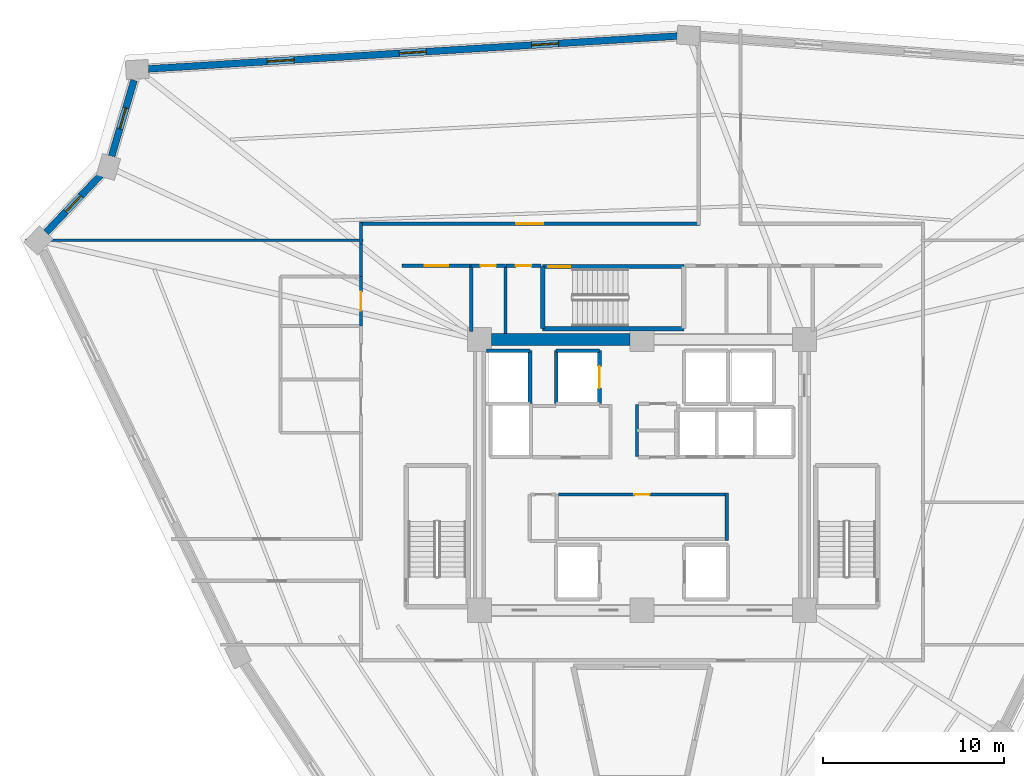
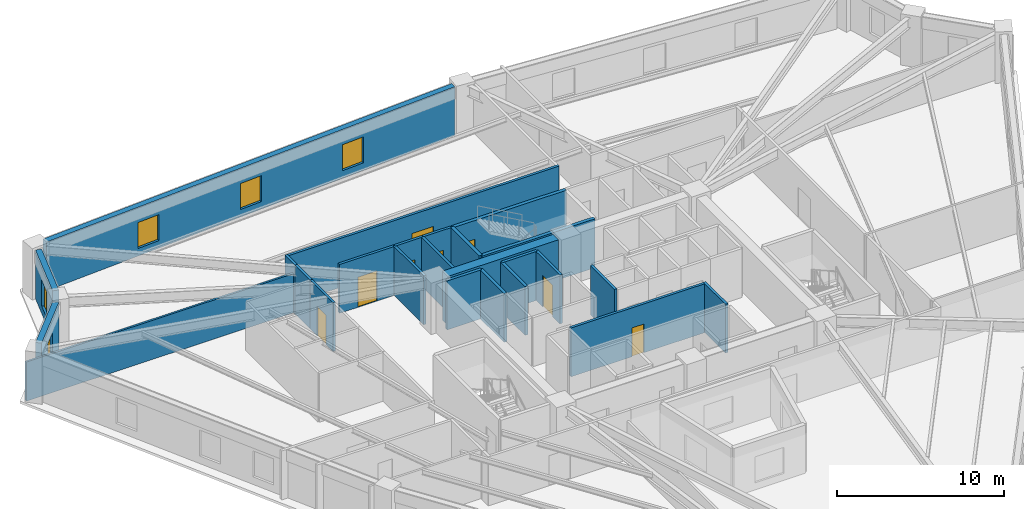
# One storey, part 5 of 10: 25 walls, 8 doors, 5 windows, 13 openings.
"""IFC4 building model written with IfcOpenShell, lengths in metres."""

import ifcopenshell
import ifcopenshell.guid

model = None  # the IFC model being written
_history = None  # IfcOwnerHistory: only IFC2X3 demands one
_inside = {}  # id of a spatial element -> (the spatial element, [elements in it])
_under = {}  # id of a project, library or spatial element -> (it, [spatial elements below it])
_declared = {}  # id of a project -> (the project, [libraries it declares])
_typed = {}  # id of a type object -> (the type object, [elements of that type])
_made_of = {}  # id of a material, layer set ... -> (it, [elements and type objects made of it])


def new_model(schema):
    """Start an empty IFC model of exactly this schema.

    Asked for "IFC4X3", IfcOpenShell would pick the latest addendum, in which some entities
    have other attributes; the version numbers below select the first issue.
    IFC2X3 requires an IfcOwnerHistory on every rooted entity: one is made here for all.
    """
    global model, _history
    if schema == "IFC4X3":
        model = ifcopenshell.file(schema_version=(4, 3, 0, 0))
    else:
        model = ifcopenshell.file(schema=schema)
    _inside.clear()
    _under.clear()
    _declared.clear()
    _typed.clear()
    _made_of.clear()
    _history = None
    if model.schema == "IFC2X3":
        org = make("IfcOrganization", Name="unknown")
        user = make(
            "IfcPersonAndOrganization",
            ThePerson=make("IfcPerson", FamilyName="unknown"),
            TheOrganization=org,
        )
        app = make(
            "IfcApplication",
            ApplicationDeveloper=org,
            Version="unknown",
            ApplicationFullName="unknown",
            ApplicationIdentifier="unknown",
        )
        _history = make(
            "IfcOwnerHistory",
            OwningUser=user,
            OwningApplication=app,
            ChangeAction="ADDED",
            CreationDate=0,
        )
    return model


def make(cls, **values):
    """One entity of the class cls with the attributes given. An attribute that is None is left unset."""
    return model.create_entity(
        cls, **{name: value for name, value in values.items() if value is not None}
    )


def rooted(cls, **values):
    """An entity with a GlobalId (a new one), such as an element, a storey or a relation."""
    return make(cls, GlobalId=ifcopenshell.guid.new(), OwnerHistory=_history, **values)


def si_unit(unit_type, name, prefix=None):
    """IfcSIUnit, for example si_unit("LENGTHUNIT", "METRE", prefix="MILLI")."""
    return make("IfcSIUnit", UnitType=unit_type, Prefix=prefix, Name=name)


def assignment(units):
    """IfcUnitAssignment: the units of a project."""
    return None if units is None else make("IfcUnitAssignment", Units=units)


def point(xyz):
    """IfcCartesianPoint."""
    return None if xyz is None else make("IfcCartesianPoint", Coordinates=xyz)


def direction(xyz):
    """IfcDirection."""
    return None if xyz is None else make("IfcDirection", DirectionRatios=xyz)


def frame(location, z_axis=None, x_axis=None):
    """IfcAxis2Placement3D, a coordinate frame: its origin and axes. An axis left out is left unset."""
    return make(
        "IfcAxis2Placement3D",
        Location=point(location),
        Axis=direction(z_axis),
        RefDirection=direction(x_axis),
    )


def frame_2d(location, x_axis=None):
    """IfcAxis2Placement2D, a coordinate frame in the plane: its origin and x axis."""
    return make(
        "IfcAxis2Placement2D", Location=point(location), RefDirection=direction(x_axis)
    )


def origin():
    """The frame at (0, 0, 0) with its axes left unset."""
    return frame((0.0, 0.0, 0.0))


def place(relative_to, where):
    """IfcLocalPlacement: puts the frame where relative to a parent placement (None: the world)."""
    return make(
        "IfcLocalPlacement", PlacementRelTo=relative_to, RelativePlacement=where
    )


def context(
    kind, dimensions, precision=None, world=None, true_north=None, identifier=None
):
    """IfcGeometricRepresentationContext, for example the 3D "Model" context."""
    return make(
        "IfcGeometricRepresentationContext",
        ContextIdentifier=identifier,
        ContextType=kind,
        CoordinateSpaceDimension=dimensions,
        Precision=precision,
        WorldCoordinateSystem=world,
        TrueNorth=true_north,
    )


def subcontext(parent, identifier, kind, view, scale=None):
    """IfcGeometricRepresentationSubContext, for example "Body" below "Model"."""
    return make(
        "IfcGeometricRepresentationSubContext",
        ContextIdentifier=identifier,
        ContextType=kind,
        ParentContext=parent,
        TargetScale=scale,
        TargetView=view,
    )


def project(units=None, contexts=None):
    """IfcProject with its units and contexts."""
    return rooted(
        "IfcProject",
        Name="project",
        RepresentationContexts=contexts,
        UnitsInContext=assignment(units),
    )


def spatial(cls, under=None, at=None, **own):
    """A site, building, storey or space (cls), placed at a placement, below another one or the project."""
    s = rooted(cls, ObjectPlacement=at, **own)
    if under is not None:
        _under.setdefault(under.id(), (under, []))[1].append(s)
    return s


def profile(cls, at=None, kind="AREA", **sizes):
    """A parametric profile (cls). Its sizes go by their IFC names, for example OverallWidth=200.0."""
    return make(cls, ProfileType=kind, Position=at, **sizes)


def rectangle(**sizes):
    """IfcRectangleProfileDef."""
    return profile("IfcRectangleProfileDef", **sizes)


def extrude(swept, where, along, depth):
    """IfcExtrudedAreaSolid: the profile swept, set in the frame where, extruded along a direction by depth."""
    return make(
        "IfcExtrudedAreaSolid",
        SweptArea=swept,
        Position=where,
        ExtrudedDirection=direction(along),
        Depth=depth,
    )


def shape(context_of_items, identifier, shape_type, items):
    """IfcShapeRepresentation: the items that make up one representation, for example the "Body"."""
    return make(
        "IfcShapeRepresentation",
        ContextOfItems=context_of_items,
        RepresentationIdentifier=identifier,
        RepresentationType=shape_type,
        Items=items,
    )


def source(mapping_origin, context_of_items, identifier, shape_type, items):
    """IfcRepresentationMap: a shape defined once, which mapped items show again and again."""
    return make(
        "IfcRepresentationMap",
        MappingOrigin=mapping_origin,
        MappedRepresentation=shape(context_of_items, identifier, shape_type, items),
    )


def transform(
    local_origin,
    x_axis=None,
    y_axis=None,
    z_axis=None,
    scale=None,
    scale2=None,
    scale3=None,
    uniform=True,
):
    """IfcCartesianTransformationOperator3D, or its non-uniform kind. x_axis, y_axis, z_axis: its Axis1, 2, 3."""
    if uniform:
        return make(
            "IfcCartesianTransformationOperator3D",
            Axis1=direction(x_axis),
            Axis2=direction(y_axis),
            LocalOrigin=point(local_origin),
            Scale=scale,
            Axis3=direction(z_axis),
        )
    return make(
        "IfcCartesianTransformationOperator3DnonUniform",
        Axis1=direction(x_axis),
        Axis2=direction(y_axis),
        LocalOrigin=point(local_origin),
        Scale=scale,
        Axis3=direction(z_axis),
        Scale2=scale2,
        Scale3=scale3,
    )


def mapped(mapping_source, mapping_target):
    """IfcMappedItem: shows the shape of a source again, moved by a transform."""
    return make(
        "IfcMappedItem", MappingSource=mapping_source, MappingTarget=mapping_target
    )


def material(Name=None, Category=None):
    """IfcMaterial."""
    return make("IfcMaterial", Name=Name, Category=Category)


def layer(
    of_material, thickness, ventilated=None, Name=None, Category=None, Priority=None
):
    """IfcMaterialLayer: one layer of a wall or slab, of a material (None: an air gap)."""
    return make(
        "IfcMaterialLayer",
        Material=of_material,
        LayerThickness=thickness,
        IsVentilated=ventilated,
        Name=Name,
        Category=Category,
        Priority=Priority,
    )


def layer_set(layers, Name=None):
    """IfcMaterialLayerSet."""
    return make("IfcMaterialLayerSet", MaterialLayers=layers, LayerSetName=Name)


def made_of(thing, what):
    """Note that an element or type object is made of a material, layer set ...; save() writes the relation."""
    if what is not None:
        _made_of.setdefault(what.id(), (what, []))[1].append(thing)
    return thing


def type_object(cls, material=None, **own):
    """A type object (cls), such as IfcWallType, which elements share."""
    return made_of(rooted(cls, **own), material)


def element(
    cls,
    number,
    at=None,
    inside=None,
    cuts=None,
    type_object=None,
    material=None,
    context=None,
    identifier="Body",
    shape_type=None,
    held_by="IfcProductDefinitionShape",
    body=None,
    shapes=None,
    **own,
):
    """One element of the class cls, such as IfcWall. Its Tag is "e" and its number.

    at: its placement. inside: the storey or other place that contains it. cuts: it is an
    opening in that element (IfcRelVoidsElement). A single representation is given by context,
    identifier, shape_type and body (its items); several are given by shapes. held_by: the class
    of the entity that holds the representations. save() writes the other relations.
    """
    e = rooted(cls, Tag="e%d" % number, ObjectPlacement=at, **own)
    if body is not None:
        shapes = [shape(context, identifier, shape_type, body)]
    if shapes is not None:
        e.Representation = make(held_by, Representations=shapes)
    if inside is not None:
        _inside.setdefault(inside.id(), (inside, []))[1].append(e)
    if cuts is not None:
        rooted(
            "IfcRelVoidsElement", RelatingBuildingElement=cuts, RelatedOpeningElement=e
        )
    if type_object is not None:
        _typed.setdefault(type_object.id(), (type_object, []))[1].append(e)
    return made_of(e, material)


def fill(opening, filler):
    """IfcRelFillsElement: the door or window that sits in an opening."""
    return rooted(
        "IfcRelFillsElement",
        RelatingOpeningElement=opening,
        RelatedBuildingElement=filler,
    )


def aggregate(whole, parts):
    """IfcRelAggregates: a whole, such as a stair, and the parts it consists of."""
    return rooted("IfcRelAggregates", RelatingObject=whole, RelatedObjects=parts)


def save(model, path):
    """Write the relations noted so far, then the file.

    IfcRelAggregates (storeys below a building ...), IfcRelContainedInSpatialStructure (elements
    in a storey), IfcRelDefinesByType, IfcRelAssociatesMaterial and IfcRelDeclares: one each for
    every whole, place, type object, material and project.
    """
    for whole, parts in _under.values():
        aggregate(whole, parts)
    for where, things in _inside.values():
        rooted(
            "IfcRelContainedInSpatialStructure",
            RelatedElements=things,
            RelatingStructure=where,
        )
    for kind, things in _typed.values():
        rooted("IfcRelDefinesByType", RelatedObjects=things, RelatingType=kind)
    for what, things in _made_of.values():
        rooted("IfcRelAssociatesMaterial", RelatedObjects=things, RelatingMaterial=what)
    for by, libraries in _declared.values():
        rooted("IfcRelDeclares", RelatingContext=by, RelatedDefinitions=libraries)
    model.write(path)


model = new_model("IFC4")

# Units and contexts
model_context = context("Model", 3, precision=1e-05, world=origin(), true_north=direction((0.0, 1.0)))
body_context = subcontext(model_context, "Body", "Model", "MODEL_VIEW")
ifc_project = project(units=[si_unit("LENGTHUNIT", "METRE"), si_unit("AREAUNIT", "SQUARE_METRE"), si_unit("VOLUMEUNIT", "CUBIC_METRE"), si_unit("PLANEANGLEUNIT", "RADIAN"), si_unit("MASSUNIT", "GRAM", prefix="KILO")], contexts=[model_context])

# Site, building, storey
site_placement = place(None, origin())
site = spatial("IfcSite", under=ifc_project, at=site_placement, CompositionType="ELEMENT")
building_placement = place(site_placement, origin())
building = spatial("IfcBuilding", under=site, at=building_placement, Name="Liaohun Quay Tower", CompositionType="ELEMENT")
storey_placement = place(building_placement, frame((0.0, 0.0, 216.75)))
storey = spatial("IfcBuildingStorey", under=building, at=storey_placement, Name="L56", CompositionType="ELEMENT", Elevation=216.75)

# Wall
ifc_material_1 = material(Name="Concrete C55", Category="concrete")
ifc_layer_1 = layer(ifc_material_1, 0.64990234375, Name="Concrete C55", Category="concrete")
ifc_layer_set_1 = layer_set([ifc_layer_1], Name="Concrete C55")
wall_type_1 = type_object("IfcWallType", Name="WAL-COR-Z3", PredefinedType="SHEAR", material=ifc_layer_set_1)
wall_1_placement = place(storey_placement, frame((51.675048828125, 61.5, 0.0), z_axis=(0.0, 0.0, 1.0), x_axis=(1.0, 0.0, 0.0)))
element("IfcWall", 1, at=wall_1_placement, inside=storey, type_object=wall_type_1, Name="L56 Central Core Shear Wall N-W", PredefinedType="SHEAR", context=body_context, shape_type="SweptSolid", body=[
    extrude(rectangle(XDim=7.64990234375, YDim=0.64990234375, at=frame_2d((3.824951171875, 0.0))), origin(), (0.0, 0.0, 1.0), 3.570068359375),
])

# Wall, openings, windows
ifc_material_2 = material(Name="Precast concrete C50 insulated sandwich", Category="concrete")
ifc_layer_2 = layer(ifc_material_2, 0.3798828125, Name="Precast concrete C50 insulated sandwich", Category="concrete")
ifc_layer_set_2 = layer_set([ifc_layer_2], Name="Precast concrete C50 insulated sandwich")
wall_type_2 = type_object("IfcWallType", Name="WAL-EXT-Z34", PredefinedType="SOLIDWALL", material=ifc_layer_set_2)
wall_2_placement = place(storey_placement, frame((61.955078125, 78.302001953125, 0.0), z_axis=(0.0, 0.0, 1.0), x_axis=(-0.998077357393, -0.061980550656, 0.0)))
wall_2 = element("IfcWall", 2, at=wall_2_placement, inside=storey, type_object=wall_type_2, Name="L56 Brutalist Precast Pier Wall 07", PredefinedType="SOLIDWALL", context=body_context, shape_type="SweptSolid", body=[
    extrude(rectangle(XDim=29.349365234375, YDim=0.3798828125, at=frame_2d((14.6748046875, 0.0))), origin(), (0.0, 0.0, 1.0), 3.570068359375),
])
shared_shape_1 = source(origin(), body_context, "Body", "SweptSolid", [
    extrude(rectangle(XDim=1.5, YDim=1.89990234375, at=frame_2d((0.75, 0.949951171875))), frame((0.0, 0.199951171875, 0.0), z_axis=(0.0, -1.0, 0.0), x_axis=(1.0, 0.0, 0.0)), (0.0, 0.0, 1.0), 0.39990234375),
])
opening_1_placement = place(wall_2_placement, frame((6.5869140625, 0.0, 0.550048828125)))
opening_1 = element("IfcOpeningElement", 3, at=opening_1_placement, cuts=wall_2, Name="Opening W03", PredefinedType="OPENING", context=body_context, shape_type="MappedRepresentation", body=[
    mapped(shared_shape_1, transform((0.0, 0.0, 0.0), x_axis=(1.0, 0.0, 0.0), y_axis=(0.0, 1.0, 0.0), z_axis=(0.0, 0.0, 1.0), scale=1.0)),
])
opening_2_placement = place(wall_2_placement, frame((13.925048828125, 0.0, 0.550048828125)))
opening_2 = element("IfcOpeningElement", 4, at=opening_2_placement, cuts=wall_2, Name="Opening W03", PredefinedType="OPENING", context=body_context, shape_type="MappedRepresentation", body=[
    mapped(shared_shape_1, transform((0.0, 0.0, 0.0), x_axis=(1.0, 0.0, 0.0), y_axis=(0.0, 1.0, 0.0), z_axis=(0.0, 0.0, 1.0), scale=1.0)),
])
opening_3_placement = place(wall_2_placement, frame((21.261962890625, 0.0, 0.550048828125)))
opening_3 = element("IfcOpeningElement", 5, at=opening_3_placement, cuts=wall_2, Name="Opening W03", PredefinedType="OPENING", context=body_context, shape_type="MappedRepresentation", body=[
    mapped(shared_shape_1, transform((0.0, 0.0, 0.0), x_axis=(1.0, 0.0, 0.0), y_axis=(0.0, 1.0, 0.0), z_axis=(0.0, 0.0, 1.0), scale=1.0)),
])
ifc_material_3 = material(Name="Triple Low-E argon glazing in thermally broken aluminium", Category="aluminium")
window_type_1 = type_object("IfcWindowType", Name="WIN-PUN-Z3", PartitioningType="DOUBLE_PANEL_VERTICAL", PredefinedType="WINDOW", material=ifc_material_3)
shared_shape_2 = source(origin(), body_context, "Body", "SweptSolid", [
    extrude(rectangle(XDim=1.5, YDim=1.89990234375, at=frame_2d((0.75, 0.949951171875))), frame((0.0, 0.030029296875, 0.0), z_axis=(0.0, -1.0, 0.0), x_axis=(1.0, 0.0, 0.0)), (0.0, 0.0, 1.0), 0.06005859375),
])
window_1_placement = place(opening_1_placement, origin())
window_1 = element("IfcWindow", 6, at=window_1_placement, inside=storey, type_object=window_type_1, Name="L56 Recessed Cold-Climate Punched Window 07-1", OverallHeight=1.89990234375, OverallWidth=1.5, PartitioningType="DOUBLE_PANEL_VERTICAL", PredefinedType="WINDOW", context=body_context, shape_type="MappedRepresentation", body=[
    mapped(shared_shape_2, transform((0.0, 0.0, 0.0), x_axis=(1.0, 0.0, 0.0), y_axis=(0.0, 1.0, 0.0), z_axis=(0.0, 0.0, 1.0), scale=1.0)),
])
fill(opening_1, window_1)
window_2_placement = place(opening_2_placement, origin())
window_2 = element("IfcWindow", 7, at=window_2_placement, inside=storey, type_object=window_type_1, Name="L56 Recessed Cold-Climate Punched Window 07-2", OverallHeight=1.89990234375, OverallWidth=1.5, PartitioningType="DOUBLE_PANEL_VERTICAL", PredefinedType="WINDOW", context=body_context, shape_type="MappedRepresentation", body=[
    mapped(shared_shape_2, transform((0.0, 0.0, 0.0), x_axis=(1.0, 0.0, 0.0), y_axis=(0.0, 1.0, 0.0), z_axis=(0.0, 0.0, 1.0), scale=1.0)),
])
fill(opening_2, window_2)
window_3_placement = place(opening_3_placement, origin())
window_3 = element("IfcWindow", 8, at=window_3_placement, inside=storey, type_object=window_type_1, Name="L56 Recessed Cold-Climate Punched Window 07-3", OverallHeight=1.89990234375, OverallWidth=1.5, PartitioningType="DOUBLE_PANEL_VERTICAL", PredefinedType="WINDOW", context=body_context, shape_type="MappedRepresentation", body=[
    mapped(shared_shape_2, transform((0.0, 0.0, 0.0), x_axis=(1.0, 0.0, 0.0), y_axis=(0.0, 1.0, 0.0), z_axis=(0.0, 0.0, 1.0), scale=1.0)),
])
fill(opening_3, window_3)

# Wall, opening, window
wall_3_placement = place(storey_placement, frame((31.8740234375, 75.85498046875, 0.0), z_axis=(0.0, 0.0, 1.0), x_axis=(-0.282741477482, -0.959196151426, 0.0)))
wall_3 = element("IfcWall", 9, at=wall_3_placement, inside=storey, type_object=wall_type_2, Name="L56 Brutalist Precast Pier Wall 08", PredefinedType="SOLIDWALL", context=body_context, shape_type="SweptSolid", body=[
    extrude(rectangle(XDim=4.38916015625, YDim=0.3798828125, at=frame_2d((2.194580078125, 0.0))), origin(), (0.0, 0.0, 1.0), 3.570068359375),
])
shared_shape_3 = source(origin(), body_context, "Body", "SweptSolid", [
    extrude(rectangle(XDim=1.199951171875, YDim=1.89990234375, at=frame_2d((0.60009765625, 0.949951171875))), frame((0.0, 0.199951171875, 0.0), z_axis=(0.0, -1.0, 0.0), x_axis=(1.0, 0.0, 0.0)), (0.0, 0.0, 1.0), 0.39990234375),
])
opening_4_placement = place(wall_3_placement, frame((1.594970703125, 0.0, 0.550048828125)))
opening_4 = element("IfcOpeningElement", 10, at=opening_4_placement, cuts=wall_3, Name="Opening W05", PredefinedType="OPENING", context=body_context, shape_type="MappedRepresentation", body=[
    mapped(shared_shape_3, transform((0.0, 0.0, 0.0), x_axis=(1.0, 0.0, 0.0), y_axis=(0.0, 1.0, 0.0), z_axis=(0.0, 0.0, 1.0), scale=1.0)),
])
ifc_material_4 = material(Name="Triple Low-E corner notch glazing", Category="glass")
window_type_2 = type_object("IfcWindowType", Name="WIN-NOTCH", PartitioningType="SINGLE_PANEL", PredefinedType="WINDOW", material=ifc_material_4)
shared_shape_4 = source(origin(), body_context, "Body", "SweptSolid", [
    extrude(rectangle(XDim=1.199951171875, YDim=1.89990234375, at=frame_2d((0.60009765625, 0.949951171875))), frame((0.0, 0.030029296875, 0.0), z_axis=(0.0, -1.0, 0.0), x_axis=(1.0, 0.0, 0.0)), (0.0, 0.0, 1.0), 0.06005859375),
])
window_4_placement = place(opening_4_placement, origin())
window_4 = element("IfcWindow", 11, at=window_4_placement, inside=storey, type_object=window_type_2, Name="L56 Corner Notch Window W05-08", OverallHeight=1.89990234375, OverallWidth=1.199951171875, PartitioningType="SINGLE_PANEL", PredefinedType="WINDOW", context=body_context, shape_type="MappedRepresentation", body=[
    mapped(shared_shape_4, transform((0.0, 0.0, 0.0), x_axis=(1.0, 0.0, 0.0), y_axis=(0.0, 1.0, 0.0), z_axis=(0.0, 0.0, 1.0), scale=1.0)),
])
fill(opening_4, window_4)

wall_4_placement = place(storey_placement, frame((30.034912109375, 70.60888671875, 0.0), z_axis=(0.0, 0.0, 1.0), x_axis=(-0.689503947634, -0.724281924527, 0.0)))
wall_4 = element("IfcWall", 12, at=wall_4_placement, inside=storey, type_object=wall_type_2, Name="L56 Brutalist Precast Pier Wall 09", PredefinedType="SOLIDWALL", context=body_context, shape_type="SweptSolid", body=[
    extrude(rectangle(XDim=4.39453125, YDim=0.3798828125, at=frame_2d((2.197265625, 0.0))), origin(), (0.0, 0.0, 1.0), 3.570068359375),
])
opening_5_placement = place(wall_4_placement, frame((1.596923828125, 0.0, 0.550048828125)))
opening_5 = element("IfcOpeningElement", 13, at=opening_5_placement, cuts=wall_4, Name="Opening W05", PredefinedType="OPENING", context=body_context, shape_type="MappedRepresentation", body=[
    mapped(shared_shape_3, transform((0.0, 0.0, 0.0), x_axis=(1.0, 0.0, 0.0), y_axis=(0.0, 1.0, 0.0), z_axis=(0.0, 0.0, 1.0), scale=1.0)),
])
window_5_placement = place(opening_5_placement, origin())
window_5 = element("IfcWindow", 14, at=window_5_placement, inside=storey, type_object=window_type_2, Name="L56 Corner Notch Window W05-09", OverallHeight=1.89990234375, OverallWidth=1.199951171875, PartitioningType="SINGLE_PANEL", PredefinedType="WINDOW", context=body_context, shape_type="MappedRepresentation", body=[
    mapped(shared_shape_4, transform((0.0, 0.0, 0.0), x_axis=(1.0, 0.0, 0.0), y_axis=(0.0, 1.0, 0.0), z_axis=(0.0, 0.0, 1.0), scale=1.0)),
])
fill(opening_5, window_5)

# Wall, opening, door
ifc_material_5 = material(Name="Autoclaved aerated concrete blockwork", Category="masonry")
ifc_layer_3 = layer(ifc_material_5, 0.179931640625, Name="Autoclaved aerated concrete blockwork", Category="masonry")
ifc_layer_set_3 = layer_set([ifc_layer_3], Name="Autoclaved aerated concrete blockwork")
wall_type_3 = type_object("IfcWallType", Name="WAL-PRT-COR", PredefinedType="PARTITIONING", material=ifc_layer_set_3)
wall_5_placement = place(storey_placement, frame((55.3701171875, 52.919921875, 0.0), z_axis=(0.0, 0.0, 1.0), x_axis=(1.0, 0.0, 0.0)))
wall_5 = element("IfcWall", 15, at=wall_5_placement, inside=storey, type_object=wall_type_3, Name="L56 Interior Partition Wall 001", PredefinedType="PARTITIONING", context=body_context, shape_type="SweptSolid", body=[
    extrude(rectangle(XDim=9.239990234375, YDim=0.179931640625, at=frame_2d((4.6201171875, 0.0))), origin(), (0.0, 0.0, 1.0), 3.570068359375),
])
shared_shape_5 = source(origin(), body_context, "Body", "SweptSolid", [
    extrude(rectangle(XDim=0.85009765625, YDim=2.10009765625, at=frame_2d((0.425048828125, 1.050048828125))), frame((0.0, 0.099853515625, 0.0), z_axis=(0.0, -1.0, 0.0), x_axis=(1.0, 0.0, 0.0)), (0.0, 0.0, 1.0), 0.199951171875),
])
opening_6_placement = place(wall_5_placement, frame((4.205078125, 0.0, 0.0)))
opening_6 = element("IfcOpeningElement", 16, at=opening_6_placement, cuts=wall_5, Name="Opening AD1", PredefinedType="OPENING", context=body_context, shape_type="MappedRepresentation", body=[
    mapped(shared_shape_5, transform((0.0, 0.0, 0.0), x_axis=(1.0, 0.0, 0.0), y_axis=(0.0, 1.0, 0.0), z_axis=(0.0, 0.0, 1.0), scale=1.0)),
])
ifc_material_6 = material(Name="Steel riser inspection fire door", Category="steel")
door_type_1 = type_object("IfcDoorType", Name="DOR-SHF-850", OperationType="NOTDEFINED", PredefinedType="DOOR", material=ifc_material_6)
shared_shape_6 = source(origin(), body_context, "Body", "SweptSolid", [
    extrude(rectangle(XDim=0.85009765625, YDim=2.10009765625, at=frame_2d((0.425048828125, 1.050048828125))), frame((0.0, 0.02490234375, 0.0), z_axis=(0.0, -1.0, 0.0), x_axis=(1.0, 0.0, 0.0)), (0.0, 0.0, 1.0), 0.050048828125),
])
door_1_placement = place(opening_6_placement, origin())
door_1 = element("IfcDoor", 17, at=door_1_placement, inside=storey, type_object=door_type_1, Name="L56 Core Tenant Storage and Archive Room Door", OperationType="SINGLE_SWING_LEFT", OverallHeight=2.10009765625, OverallWidth=0.85009765625, PredefinedType="DOOR", context=body_context, shape_type="MappedRepresentation", body=[
    mapped(shared_shape_6, transform((0.0, 0.0, 0.0), x_axis=(1.0, 0.0, 0.0), y_axis=(0.0, 1.0, 0.0), z_axis=(0.0, 0.0, 1.0), scale=1.0)),
])
fill(opening_6, door_1)

wall_6_placement = place(storey_placement, frame((50.5400390625, 65.580078125, 0.0), z_axis=(0.0, 0.0, 1.0), x_axis=(1.0, 0.0, 0.0)))
wall_6 = element("IfcWall", 18, at=wall_6_placement, inside=storey, type_object=wall_type_3, Name="L56 Interior Partition Wall 009", PredefinedType="PARTITIONING", context=body_context, shape_type="SweptSolid", body=[
    extrude(rectangle(XDim=1.89990234375, YDim=0.179931640625, at=frame_2d((0.949951171875, 0.0))), origin(), (0.0, 0.0, 1.0), 3.570068359375),
])
opening_7_placement = place(wall_6_placement, frame((0.52490234375, 0.0, 0.0)))
opening_7 = element("IfcOpeningElement", 19, at=opening_7_placement, cuts=wall_6, Name="Opening AD1", PredefinedType="OPENING", context=body_context, shape_type="MappedRepresentation", body=[
    mapped(shared_shape_5, transform((0.0, 0.0, 0.0), x_axis=(1.0, 0.0, 0.0), y_axis=(0.0, 1.0, 0.0), z_axis=(0.0, 0.0, 1.0), scale=1.0)),
])
door_2_placement = place(opening_7_placement, origin())
door_2 = element("IfcDoor", 20, at=door_2_placement, inside=storey, type_object=door_type_1, Name="L56 North-West Riser Closet Door", OperationType="SINGLE_SWING_LEFT", OverallHeight=2.10009765625, OverallWidth=0.85009765625, PredefinedType="DOOR", context=body_context, shape_type="MappedRepresentation", body=[
    mapped(shared_shape_6, transform((0.0, 0.0, 0.0), x_axis=(1.0, 0.0, 0.0), y_axis=(0.0, 1.0, 0.0), z_axis=(0.0, 0.0, 1.0), scale=1.0)),
])
fill(opening_7, door_2)

wall_7_placement = place(storey_placement, frame((52.47998046875, 65.580078125, 0.0), z_axis=(0.0, 0.0, 1.0), x_axis=(1.0, 0.0, 0.0)))
wall_7 = element("IfcWall", 21, at=wall_7_placement, inside=storey, type_object=wall_type_3, Name="L56 Interior Partition Wall 010", PredefinedType="PARTITIONING", context=body_context, shape_type="SweptSolid", body=[
    extrude(rectangle(XDim=1.929931640625, YDim=0.179931640625, at=frame_2d((0.96484375, 0.0))), origin(), (0.0, 0.0, 1.0), 3.570068359375),
])
opening_8_placement = place(wall_7_placement, frame((0.5400390625, 0.0, 0.0)))
opening_8 = element("IfcOpeningElement", 22, at=opening_8_placement, cuts=wall_7, Name="Opening AD1", PredefinedType="OPENING", context=body_context, shape_type="MappedRepresentation", body=[
    mapped(shared_shape_5, transform((0.0, 0.0, 0.0), x_axis=(1.0, 0.0, 0.0), y_axis=(0.0, 1.0, 0.0), z_axis=(0.0, 0.0, 1.0), scale=1.0)),
])
door_3_placement = place(opening_8_placement, origin())
door_3 = element("IfcDoor", 23, at=door_3_placement, inside=storey, type_object=door_type_1, Name="L56 North-West Print Closet Door", OperationType="SINGLE_SWING_RIGHT", OverallHeight=2.10009765625, OverallWidth=0.85009765625, PredefinedType="DOOR", context=body_context, shape_type="MappedRepresentation", body=[
    mapped(shared_shape_6, transform((0.0, 0.0, 0.0), x_axis=(1.0, 0.0, 0.0), y_axis=(0.0, 1.0, 0.0), z_axis=(0.0, 0.0, 1.0), scale=1.0)),
])
fill(opening_8, door_3)

wall_8_placement = place(storey_placement, frame((46.699951171875, 65.580078125, 0.0), z_axis=(0.0, 0.0, 1.0), x_axis=(1.0, 0.0, 0.0)))
wall_8 = element("IfcWall", 24, at=wall_8_placement, inside=storey, type_object=wall_type_3, Name="L56 Interior Partition Wall 014", PredefinedType="PARTITIONING", context=body_context, shape_type="SweptSolid", body=[
    extrude(rectangle(XDim=3.840087890625, YDim=0.179931640625, at=frame_2d((1.919921875, 0.0))), origin(), (0.0, 0.0, 1.0), 3.570068359375),
])
shared_shape_7 = source(origin(), body_context, "Body", "SweptSolid", [
    extrude(rectangle(XDim=1.300048828125, YDim=2.199951171875, at=frame_2d((0.64990234375, 1.10009765625))), frame((0.0, 0.099853515625, 0.0), z_axis=(0.0, -1.0, 0.0), x_axis=(1.0, 0.0, 0.0)), (0.0, 0.0, 1.0), 0.199951171875),
])
opening_9_placement = place(wall_8_placement, frame((1.27001953125, 0.0, 0.0)))
opening_9 = element("IfcOpeningElement", 25, at=opening_9_placement, cuts=wall_8, Name="Opening FD1", PredefinedType="OPENING", context=body_context, shape_type="MappedRepresentation", body=[
    mapped(shared_shape_7, transform((0.0, 0.0, 0.0), x_axis=(1.0, 0.0, 0.0), y_axis=(0.0, 1.0, 0.0), z_axis=(0.0, 0.0, 1.0), scale=1.0)),
])
ifc_material_7 = material(Name="Galvanised steel smokeproof fire door", Category="steel")
door_type_2 = type_object("IfcDoorType", Name="DOR-FFL-1300", OperationType="NOTDEFINED", PredefinedType="DOOR", material=ifc_material_7)
shared_shape_8 = source(origin(), body_context, "Body", "SweptSolid", [
    extrude(rectangle(XDim=1.300048828125, YDim=2.199951171875, at=frame_2d((0.64990234375, 1.10009765625))), frame((0.0, 0.02490234375, 0.0), z_axis=(0.0, -1.0, 0.0), x_axis=(1.0, 0.0, 0.0)), (0.0, 0.0, 1.0), 0.050048828125),
])
door_4_placement = place(opening_9_placement, origin())
door_4 = element("IfcDoor", 26, at=door_4_placement, inside=storey, type_object=door_type_2, Name="L56 West Core Vestibule Door", OperationType="SINGLE_SWING_RIGHT", OverallHeight=2.199951171875, OverallWidth=1.300048828125, PredefinedType="DOOR", context=body_context, shape_type="MappedRepresentation", body=[
    mapped(shared_shape_8, transform((0.0, 0.0, 0.0), x_axis=(1.0, 0.0, 0.0), y_axis=(0.0, 1.0, 0.0), z_axis=(0.0, 0.0, 1.0), scale=1.0)),
])
fill(opening_9, door_4)

wall_9_placement = place(storey_placement, frame((44.3701171875, 67.909912109375, 0.0), z_axis=(0.0, 0.0, 1.0), x_axis=(1.0, 0.0, 0.0)))
wall_9 = element("IfcWall", 27, at=wall_9_placement, inside=storey, type_object=wall_type_3, Name="L56 Interior Partition Wall 018", PredefinedType="PARTITIONING", context=body_context, shape_type="SweptSolid", body=[
    extrude(rectangle(XDim=18.83984375, YDim=0.179931640625, at=frame_2d((9.419921875, 0.0))), origin(), (0.0, 0.0, 1.0), 3.570068359375),
])
shared_shape_9 = source(origin(), body_context, "Body", "SweptSolid", [
    extrude(rectangle(XDim=1.5, YDim=2.199951171875, at=frame_2d((0.75, 1.10009765625))), frame((0.0, 0.099853515625, 0.0), z_axis=(0.0, -1.0, 0.0), x_axis=(1.0, 0.0, 0.0)), (0.0, 0.0, 1.0), 0.199951171875),
])
opening_10_placement = place(wall_9_placement, frame((8.669921875, 0.0, 0.0)))
opening_10 = element("IfcOpeningElement", 28, at=opening_10_placement, cuts=wall_9, Name="Opening OD2", PredefinedType="OPENING", context=body_context, shape_type="MappedRepresentation", body=[
    mapped(shared_shape_9, transform((0.0, 0.0, 0.0), x_axis=(1.0, 0.0, 0.0), y_axis=(0.0, 1.0, 0.0), z_axis=(0.0, 0.0, 1.0), scale=1.0)),
])
ifc_material_8 = material(Name="Acoustic oak veneer double door")
door_type_3 = type_object("IfcDoorType", Name="DOR-OFF-1500", OperationType="DOUBLE_DOOR_SINGLE_SWING", PredefinedType="DOOR", material=ifc_material_8)
shared_shape_10 = source(origin(), body_context, "Body", "SweptSolid", [
    extrude(rectangle(XDim=1.5, YDim=2.199951171875, at=frame_2d((0.75, 1.10009765625))), frame((0.0, 0.02490234375, 0.0), z_axis=(0.0, -1.0, 0.0), x_axis=(1.0, 0.0, 0.0)), (0.0, 0.0, 1.0), 0.050048828125),
])
door_5_placement = place(opening_10_placement, origin())
door_5 = element("IfcDoor", 29, at=door_5_placement, inside=storey, type_object=door_type_3, Name="L56 Staff Daycare Nursery 03 Door", OperationType="DOUBLE_DOOR_SINGLE_SWING", OverallHeight=2.199951171875, OverallWidth=1.5, PredefinedType="DOOR", context=body_context, shape_type="MappedRepresentation", body=[
    mapped(shared_shape_10, transform((0.0, 0.0, 0.0), x_axis=(1.0, 0.0, 0.0), y_axis=(0.0, 1.0, 0.0), z_axis=(0.0, 0.0, 1.0), scale=1.0)),
])
fill(opening_10, door_5)

# Walls
wall_10_placement = place(storey_placement, frame((59.719970703125, 55.02001953125, 0.0), z_axis=(0.0, 0.0, 1.0), x_axis=(0.0, 1.0, 0.0)))
element("IfcWall", 30, at=wall_10_placement, inside=storey, type_object=wall_type_3, Name="L56 Interior Partition Wall 024", PredefinedType="PARTITIONING", context=body_context, shape_type="SweptSolid", body=[
    extrude(rectangle(XDim=2.8798828125, YDim=0.179931640625, at=frame_2d((1.43994140625, 0.0))), origin(), (0.0, 0.0, 1.0), 3.570068359375),
])
wall_11_placement = place(storey_placement, frame((50.5400390625, 61.949951171875, 0.0), z_axis=(0.0, 0.0, 1.0), x_axis=(0.0, 1.0, 0.0)))
element("IfcWall", 31, at=wall_11_placement, inside=storey, type_object=wall_type_3, Name="L56 Interior Partition Wall 035", PredefinedType="PARTITIONING", context=body_context, shape_type="SweptSolid", body=[
    extrude(rectangle(XDim=3.630126953125, YDim=0.179931640625, at=frame_2d((1.81494140625, 0.0))), origin(), (0.0, 0.0, 1.0), 3.570068359375),
])
wall_12_placement = place(storey_placement, frame((52.43994140625, 61.824951171875, 0.0), z_axis=(0.0, 0.0, 1.0), x_axis=(0.0, 1.0, 0.0)))
element("IfcWall", 32, at=wall_12_placement, inside=storey, type_object=wall_type_3, Name="L56 Interior Partition Wall 036", PredefinedType="PARTITIONING", context=body_context, shape_type="SweptSolid", body=[
    extrude(rectangle(XDim=3.755126953125, YDim=0.179931640625, at=frame_2d((1.87744140625, 0.0))), origin(), (0.0, 0.0, 1.0), 3.570068359375),
])
wall_13_placement = place(storey_placement, frame((44.43994140625, 66.784912109375, 0.0), z_axis=(0.0, 0.0, 1.0), x_axis=(0.0, 1.0, 0.0)))
element("IfcWall", 33, at=wall_13_placement, inside=storey, type_object=wall_type_3, Name="L56 Interior Partition Wall 043", PredefinedType="PARTITIONING", context=body_context, shape_type="SweptSolid", body=[
    extrude(rectangle(XDim=1.195068359375, YDim=0.179931640625, at=frame_2d((0.59765625, 0.0))), origin(), (0.0, 0.0, 1.0), 3.570068359375),
])
wall_14_placement = place(storey_placement, frame((44.43994140625, 64.97998046875, 0.0), z_axis=(0.0, 0.0, 1.0), x_axis=(0.0, 1.0, 0.0)))
element("IfcWall", 34, at=wall_14_placement, inside=storey, type_object=wall_type_3, Name="L56 Interior Partition Wall 045", PredefinedType="PARTITIONING", context=body_context, shape_type="SweptSolid", body=[
    extrude(rectangle(XDim=1.804931640625, YDim=0.179931640625, at=frame_2d((0.90234375, 0.0))), origin(), (0.0, 0.0, 1.0), 3.570068359375),
])
wall_15_placement = place(storey_placement, frame((64.699951171875, 50.360107421875, 0.0), z_axis=(0.0, 0.0, 1.0), x_axis=(0.0, 1.0, 0.0)))
element("IfcWall", 35, at=wall_15_placement, inside=storey, type_object=wall_type_3, Name="L56 Interior Partition Wall 055", PredefinedType="PARTITIONING", context=body_context, shape_type="SweptSolid", body=[
    extrude(rectangle(XDim=2.64990234375, YDim=0.179931640625, at=frame_2d((1.324951171875, 0.0))), origin(), (0.0, 0.0, 1.0), 3.570068359375),
])
ifc_material_9 = material(Name="Gypsum board on twin steel studs", Category="steel")
ifc_layer_4 = layer(ifc_material_9, 0.139892578125, Name="Gypsum board on twin steel studs", Category="steel")
ifc_layer_set_4 = layer_set([ifc_layer_4], Name="Gypsum board on twin steel studs")
wall_type_4 = type_object("IfcWallType", Name="WAL-PRT-OFF", PredefinedType="PARTITIONING", material=ifc_layer_set_4)
wall_16_placement = place(storey_placement, frame((44.5400390625, 67.0, 0.0), z_axis=(0.0, 0.0, 1.0), x_axis=(-1.0, 0.0, 0.0)))
element("IfcWall", 36, at=wall_16_placement, inside=storey, type_object=wall_type_4, Name="L56 Interior Partition Wall 050", PredefinedType="PARTITIONING", context=body_context, shape_type="SweptSolid", body=[
    extrude(rectangle(XDim=18.66796875, YDim=0.139892578125, at=frame_2d((9.333984375, 0.0))), origin(), (0.0, 0.0, 1.0), 2.85498046875),
])

# Wall, opening, door
ifc_material_10 = material(Name="Moisture-resistant masonry blockwork", Category="masonry")
ifc_layer_5 = layer(ifc_material_10, 0.159912109375, Name="Moisture-resistant masonry blockwork", Category="masonry")
ifc_layer_set_5 = layer_set([ifc_layer_5], Name="Moisture-resistant masonry blockwork")
wall_type_5 = type_object("IfcWallType", Name="WAL-PRT-WET", PredefinedType="PARTITIONING", material=ifc_layer_set_5)
wall_17_placement = place(storey_placement, frame((44.43994140625, 62.239990234375, 0.0), z_axis=(0.0, 0.0, 1.0), x_axis=(0.0, 1.0, 0.0)))
wall_17 = element("IfcWall", 37, at=wall_17_placement, inside=storey, type_object=wall_type_5, Name="L56 Interior Partition Wall 008", PredefinedType="PARTITIONING", context=body_context, shape_type="SweptSolid", body=[
    extrude(rectangle(XDim=2.739990234375, YDim=0.159912109375, at=frame_2d((1.3701171875, 0.0))), origin(), (0.0, 0.0, 1.0), 3.570068359375),
])
shared_shape_11 = source(origin(), body_context, "Body", "SweptSolid", [
    extrude(rectangle(XDim=1.050048828125, YDim=2.14990234375, at=frame_2d((0.52490234375, 1.074951171875))), frame((0.0, 0.08984375, 0.0), z_axis=(0.0, -1.0, 0.0), x_axis=(1.0, 0.0, 0.0)), (0.0, 0.0, 1.0), 0.179931640625),
])
opening_11_placement = place(wall_17_placement, frame((0.844970703125, 0.0, 0.0)))
opening_11 = element("IfcOpeningElement", 38, at=opening_11_placement, cuts=wall_17, Name="Opening WD2", PredefinedType="OPENING", context=body_context, shape_type="MappedRepresentation", body=[
    mapped(shared_shape_11, transform((0.0, 0.0, 0.0), x_axis=(1.0, 0.0, 0.0), y_axis=(0.0, 1.0, 0.0), z_axis=(0.0, 0.0, 1.0), scale=1.0)),
])
ifc_material_11 = material(Name="Accessible outward-swinging laminate door")
door_type_4 = type_object("IfcDoorType", Name="DOR-AWC-1050", OperationType="NOTDEFINED", PredefinedType="DOOR", material=ifc_material_11)
shared_shape_12 = source(origin(), body_context, "Body", "SweptSolid", [
    extrude(rectangle(XDim=1.050048828125, YDim=2.14990234375, at=frame_2d((0.52490234375, 1.074951171875))), frame((0.0, 0.02490234375, 0.0), z_axis=(0.0, -1.0, 0.0), x_axis=(1.0, 0.0, 0.0)), (0.0, 0.0, 1.0), 0.050048828125),
])
door_6_placement = place(opening_11_placement, origin())
door_6 = element("IfcDoor", 39, at=door_6_placement, inside=storey, type_object=door_type_4, Name="L56 Accessible WC Door", OperationType="SINGLE_SWING_RIGHT", OverallHeight=2.14990234375, OverallWidth=1.050048828125, PredefinedType="DOOR", context=body_context, shape_type="MappedRepresentation", body=[
    mapped(shared_shape_12, transform((0.0, 0.0, 0.0), x_axis=(1.0, 0.0, 0.0), y_axis=(0.0, 1.0, 0.0), z_axis=(0.0, 0.0, 1.0), scale=1.0)),
])
fill(opening_11, door_6)

# Wall
ifc_material_12 = material(Name="Concrete C50", Category="concrete")
ifc_layer_6 = layer(ifc_material_12, 0.239990234375, Name="Concrete C50", Category="concrete")
ifc_layer_set_6 = layer_set([ifc_layer_6], Name="Concrete C50")
wall_type_6 = type_object("IfcWallType", Name="WAL-SHF-200", PredefinedType="SOLIDWALL", material=ifc_layer_set_6)
wall_18_placement = place(storey_placement, frame((54.5, 62.10009765625, 0.0), z_axis=(0.0, 0.0, 1.0), x_axis=(1.0, 0.0, 0.0)))
element("IfcWall", 40, at=wall_18_placement, inside=storey, type_object=wall_type_6, Name="L56 Stairwell ST-3 Structural Core Wall S", PredefinedType="SOLIDWALL", context=body_context, shape_type="SweptSolid", body=[
    extrude(rectangle(XDim=7.820068359375, YDim=0.239990234375, at=frame_2d((3.91015625, 0.0))), origin(), (0.0, 0.0, 1.0), 3.570068359375),
])

# Wall, opening, door
wall_19_placement = place(storey_placement, frame((62.320068359375, 65.5400390625, 0.0), z_axis=(0.0, 0.0, 1.0), x_axis=(-1.0, 0.0, 0.0)))
wall_19 = element("IfcWall", 41, at=wall_19_placement, inside=storey, type_object=wall_type_6, Name="L56 Stairwell ST-3 Structural Core Wall N", PredefinedType="SOLIDWALL", context=body_context, shape_type="SweptSolid", body=[
    extrude(rectangle(XDim=7.820068359375, YDim=0.239990234375, at=frame_2d((3.91015625, 0.0))), origin(), (0.0, 0.0, 1.0), 3.570068359375),
])
shared_shape_13 = source(origin(), body_context, "Body", "SweptSolid", [
    extrude(rectangle(XDim=1.199951171875, YDim=2.199951171875, at=frame_2d((0.60009765625, 1.10009765625))), frame((0.0, 0.1298828125, 0.0), z_axis=(0.0, -1.0, 0.0), x_axis=(1.0, 0.0, 0.0)), (0.0, 0.0, 1.0), 0.260009765625),
])
opening_12_placement = place(wall_19_placement, frame((6.300048828125, 0.0, 0.0)))
opening_12 = element("IfcOpeningElement", 42, at=opening_12_placement, cuts=wall_19, Name="Opening SD1", PredefinedType="OPENING", context=body_context, shape_type="MappedRepresentation", body=[
    mapped(shared_shape_13, transform((0.0, 0.0, 0.0), x_axis=(1.0, 0.0, 0.0), y_axis=(0.0, 1.0, 0.0), z_axis=(0.0, 0.0, 1.0), scale=1.0)),
])
ifc_material_13 = material(Name="Galvanised steel fire door", Category="steel")
door_type_5 = type_object("IfcDoorType", Name="DOR-STR-1200", OperationType="NOTDEFINED", PredefinedType="DOOR", material=ifc_material_13)
shared_shape_14 = source(origin(), body_context, "Body", "SweptSolid", [
    extrude(rectangle(XDim=1.199951171875, YDim=2.199951171875, at=frame_2d((0.60009765625, 1.10009765625))), frame((0.0, 0.02490234375, 0.0), z_axis=(0.0, -1.0, 0.0), x_axis=(1.0, 0.0, 0.0)), (0.0, 0.0, 1.0), 0.050048828125),
])
door_7_placement = place(opening_12_placement, origin())
door_7 = element("IfcDoor", 43, at=door_7_placement, inside=storey, type_object=door_type_5, Name="L56 Protected Stair ST-3 Fire Door", OperationType="SINGLE_SWING_RIGHT", OverallHeight=2.199951171875, OverallWidth=1.199951171875, PredefinedType="DOOR", context=body_context, shape_type="MappedRepresentation", body=[
    mapped(shared_shape_14, transform((0.0, 0.0, 0.0), x_axis=(1.0, 0.0, 0.0), y_axis=(0.0, 1.0, 0.0), z_axis=(0.0, 0.0, 1.0), scale=1.0)),
])
fill(opening_12, door_7)

# Wall
wall_20_placement = place(storey_placement, frame((54.5, 65.5400390625, 0.0), z_axis=(0.0, 0.0, 1.0), x_axis=(0.0, -1.0, 0.0)))
element("IfcWall", 44, at=wall_20_placement, inside=storey, type_object=wall_type_6, Name="L56 Stairwell ST-3 Structural Core Wall W", PredefinedType="SOLIDWALL", context=body_context, shape_type="SweptSolid", body=[
    extrude(rectangle(XDim=3.43994140625, YDim=0.239990234375, at=frame_2d((1.719970703125, 0.0))), origin(), (0.0, 0.0, 1.0), 3.570068359375),
])

# Wall, opening, door
wall_21_placement = place(storey_placement, frame((57.64990234375, 57.949951171875, 0.0), z_axis=(0.0, 0.0, 1.0), x_axis=(0.0, 1.0, 0.0)))
wall_21 = element("IfcWall", 45, at=wall_21_placement, inside=storey, type_object=wall_type_6, Name="L56 Lift FF-03 Hoistway Wall E", PredefinedType="SOLIDWALL", context=body_context, shape_type="SweptSolid", body=[
    extrude(rectangle(XDim=2.929931640625, YDim=0.199951171875, at=frame_2d((1.46484375, 0.0))), origin(), (0.0, 0.0, 1.0), 3.570068359375),
])
shared_shape_15 = source(origin(), body_context, "Body", "SweptSolid", [
    extrude(rectangle(XDim=1.199951171875, YDim=2.300048828125, at=frame_2d((0.60009765625, 1.14990234375))), frame((0.0, 0.10986328125, 0.0), z_axis=(0.0, -1.0, 0.0), x_axis=(1.0, 0.0, 0.0)), (0.0, 0.0, 1.0), 0.219970703125),
])
opening_13_placement = place(wall_21_placement, frame((0.864990234375, 0.0, 0.0)))
opening_13 = element("IfcOpeningElement", 46, at=opening_13_placement, cuts=wall_21, Name="Opening LD2", PredefinedType="OPENING", context=body_context, shape_type="MappedRepresentation", body=[
    mapped(shared_shape_15, transform((0.0, 0.0, 0.0), x_axis=(1.0, 0.0, 0.0), y_axis=(0.0, 1.0, 0.0), z_axis=(0.0, 0.0, 1.0), scale=1.0)),
])
ifc_material_14 = material(Name="Brushed stainless steel stretcher landing door", Category="steel")
door_type_6 = type_object("IfcDoorType", Name="DOR-LFT-1200", OperationType="SLIDING_TO_LEFT", PredefinedType="DOOR", material=ifc_material_14)
shared_shape_16 = source(origin(), body_context, "Body", "SweptSolid", [
    extrude(rectangle(XDim=1.199951171875, YDim=2.300048828125, at=frame_2d((0.60009765625, 1.14990234375))), frame((0.0, 0.02490234375, 0.0), z_axis=(0.0, -1.0, 0.0), x_axis=(1.0, 0.0, 0.0)), (0.0, 0.0, 1.0), 0.050048828125),
])
door_8_placement = place(opening_13_placement, origin())
door_8 = element("IfcDoor", 47, at=door_8_placement, inside=storey, type_object=door_type_6, Name="L56 Lift FF-03 Sliding Landing Door", OperationType="SLIDING_TO_LEFT", OverallHeight=2.300048828125, OverallWidth=1.199951171875, PredefinedType="DOOR", context=body_context, shape_type="MappedRepresentation", body=[
    mapped(shared_shape_16, transform((0.0, 0.0, 0.0), x_axis=(1.0, 0.0, 0.0), y_axis=(0.0, 1.0, 0.0), z_axis=(0.0, 0.0, 1.0), scale=1.0)),
])
fill(opening_13, door_8)

# Walls
wall_22_placement = place(storey_placement, frame((57.64990234375, 60.8798828125, 0.0), z_axis=(0.0, 0.0, 1.0), x_axis=(-1.0, 0.0, 0.0)))
element("IfcWall", 48, at=wall_22_placement, inside=storey, type_object=wall_type_6, Name="L56 Lift FF-03 Hoistway Wall N", PredefinedType="SOLIDWALL", context=body_context, shape_type="SweptSolid", body=[
    extrude(rectangle(XDim=2.39990234375, YDim=0.199951171875, at=frame_2d((1.199951171875, 0.0))), origin(), (0.0, 0.0, 1.0), 3.570068359375),
])
for number, where, z_axis, x_axis, name in (
    (49, (55.25, 60.8798828125, 0.0), (0.0, 0.0, 1.0), (0.0, -1.0, 0.0), "L56 Lift FF-03 Hoistway Wall W"),
    (50, (53.800048828125, 57.949951171875, 0.0), (0.0, 0.0, 1.0), (0.0, 1.0, 0.0), "L56 Lift SH-01 Hoistway Wall E"),
):
    element("IfcWall", number, at=place(storey_placement, frame(where, z_axis=z_axis, x_axis=x_axis)), inside=storey, type_object=wall_type_6, Name=name, PredefinedType="SOLIDWALL", context=body_context, shape_type="SweptSolid", body=[
        extrude(rectangle(XDim=2.929931640625, YDim=0.199951171875, at=frame_2d((1.46484375, 0.0))), origin(), (0.0, 0.0, 1.0), 3.570068359375),
    ])
wall_23_placement = place(storey_placement, frame((53.800048828125, 60.8798828125, 0.0), z_axis=(0.0, 0.0, 1.0), x_axis=(-1.0, 0.0, 0.0)))
element("IfcWall", 51, at=wall_23_placement, inside=storey, type_object=wall_type_6, Name="L56 Lift SH-01 Hoistway Wall N", PredefinedType="SOLIDWALL", context=body_context, shape_type="SweptSolid", body=[
    extrude(rectangle(XDim=2.400146484375, YDim=0.199951171875, at=frame_2d((1.2001953125, 0.0))), origin(), (0.0, 0.0, 1.0), 3.570068359375),
])

save(model, "model.ifc")
